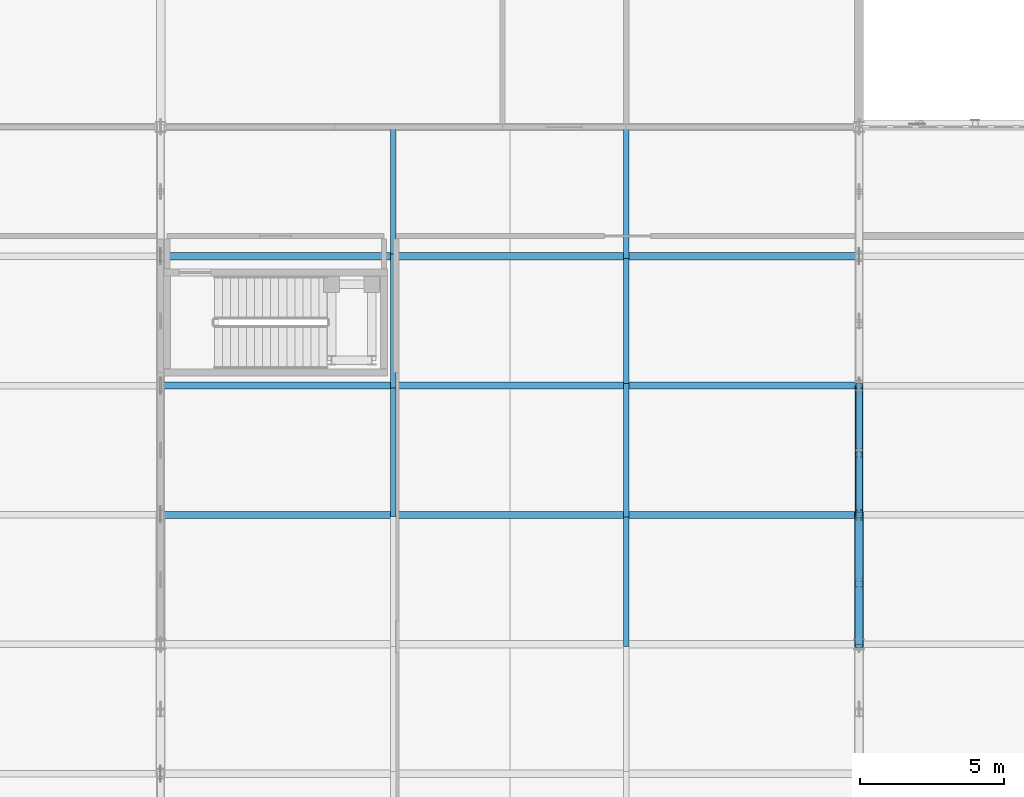
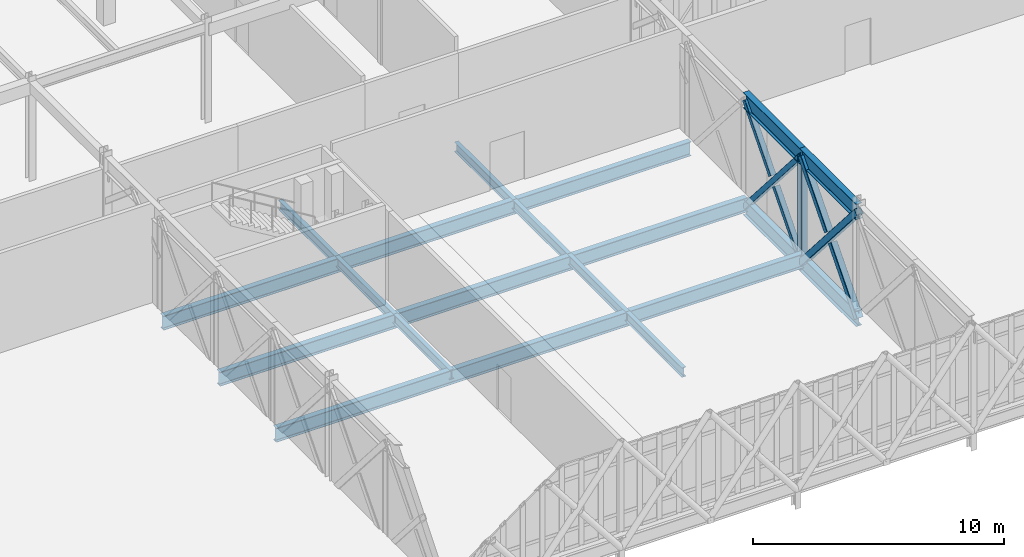
# One storey, part 19 of 107: 14 beams, 7 members.
"""IFC4 building model written with IfcOpenShell, lengths in metres."""

from ifc_helpers import new_model, si_unit, direction, frame, origin, origin_2d, place, context, subcontext, project, spatial, hollow_rectangle, i_section, extrude, material, material_profile, profile_set, type_object, element, save


model = new_model("IFC4")

# Units and contexts
model_context = context("Model", 3, precision=1e-05, world=origin(), true_north=direction((0.0, 1.0)))
body_context = subcontext(model_context, "Body", "Model", "MODEL_VIEW")
ifc_project = project(units=[si_unit("LENGTHUNIT", "METRE"), si_unit("AREAUNIT", "SQUARE_METRE"), si_unit("VOLUMEUNIT", "CUBIC_METRE"), si_unit("PLANEANGLEUNIT", "RADIAN"), si_unit("MASSUNIT", "GRAM", prefix="KILO")], contexts=[model_context])

# Site, building, storey
site_placement = place(None, origin())
site = spatial("IfcSite", under=ifc_project, at=site_placement, CompositionType="ELEMENT")
building_placement = place(site_placement, origin())
building = spatial("IfcBuilding", under=site, at=building_placement, Name="Tarnveldt Square Police Headquarters", CompositionType="ELEMENT")
storey_placement = place(building_placement, frame((0.0, 0.0, 14.699951171875)))
storey = spatial("IfcBuildingStorey", under=building, at=storey_placement, Name="L03", CompositionType="ELEMENT", Elevation=14.699951171875)

# Beams
ifc_material = material(Name="Steel 350W", Category="steel")
ifc_material_profile_1 = material_profile(ifc_material, i_section(OverallWidth=0.26708984375, OverallDepth=0.76611328125, WebThickness=0.014892578125, FlangeThickness=0.023681640625, FilletRadius=0.02197265625, at=origin_2d()), Name="W760x185")
ifc_profile_set_1 = profile_set([ifc_material_profile_1], Name="Steel 350W")
beam_type_1 = type_object("IfcBeamType", Name="BM-CT-BOT", PredefinedType="BEAM", material=ifc_profile_set_1)
for number, where, z_axis, x_axis, name in (
    (1, (48.60009765625, 25.0, -0.742919921875), (0.0, -1.0, 0.0), (1.0, 0.0, 0.0), "Cantilever Truss CT-3 Bottom Chord 3"),
    (2, (48.60009765625, 25.0, 4.45703125), (0.0, -1.0, 0.0), (1.0, 0.0, 0.0), "Cantilever Truss CT-3 Mid Chord 3"),
    (3, (48.60009765625, 20.5, -0.742919921875), (0.0, -1.0, 0.0), (1.0, 0.0, 0.0), "Cantilever Truss CT-3 Bottom Chord 4"),
    (4, (48.60009765625, 20.5, 4.45703125), (0.0, -1.0, 0.0), (1.0, 0.0, 0.0), "Cantilever Truss CT-3 Mid Chord 4"),
):
    element("IfcBeam", number, at=place(storey_placement, frame(where, z_axis=z_axis, x_axis=x_axis)), inside=storey, type_object=beam_type_1, Name=name, PredefinedType="BEAM", context=body_context, shape_type="SweptSolid", body=[
        extrude(i_section(OverallWidth=0.26708984375, OverallDepth=0.76611328125, WebThickness=0.014892578125, FlangeThickness=0.023681640625, FilletRadius=0.02197265625, at=origin_2d()), origin(), (0.0, 0.0, 1.0), 4.5),
    ])
ifc_material_profile_2 = material_profile(ifc_material, i_section(OverallWidth=0.19189453125, OverallDepth=0.462890625, WebThickness=0.010498046875, FlangeThickness=0.017578125, FilletRadius=0.01806640625, at=origin_2d()), Name="W460x89")
ifc_profile_set_2 = profile_set([ifc_material_profile_2], Name="Steel 350W")
beam_type_2 = type_object("IfcBeamType", Name="BM-W460x89", PredefinedType="BEAM", material=ifc_profile_set_2)
for number, where, z_axis, x_axis, name in (
    (5, (32.39990234375, 34.080078125, -0.491455078125), (0.0, -1.0, 0.0), (1.0, 0.0, 0.0), "Lantern L03 Secondary Beam 32.0"),
    (6, (32.39990234375, 29.580078125, -0.491455078125), (0.0, -1.0, 0.0), (1.0, 0.0, 0.0), "Lantern L03 Secondary Beam 32.1"),
    (7, (32.39990234375, 25.080078125, -0.491455078125), (0.0, -1.0, 0.0), (1.0, 0.0, 0.0), "Lantern L03 Secondary Beam 32.2"),
    (8, (40.5, 34.080078125, -0.491455078125), (0.0, -1.0, 0.0), (1.0, 0.0, 0.0), "Lantern L03 Secondary Beam 40.0"),
    (9, (40.5, 29.580078125, -0.491455078125), (0.0, -1.0, 0.0), (1.0, 0.0, 0.0), "Lantern L03 Secondary Beam 40.1"),
    (10, (40.5, 25.080078125, -0.491455078125), (0.0, -1.0, 0.0), (1.0, 0.0, 0.0), "Lantern L03 Secondary Beam 40.2"),
    (11, (40.5, 20.580078125, -0.491455078125), (0.0, -1.0, 0.0), (1.0, 0.0, 0.0), "Lantern L03 Secondary Beam 40.3"),
):
    element("IfcBeam", number, at=place(storey_placement, frame(where, z_axis=z_axis, x_axis=x_axis)), inside=storey, type_object=beam_type_2, Name=name, PredefinedType="BEAM", context=body_context, shape_type="SweptSolid", body=[
        extrude(i_section(OverallWidth=0.19189453125, OverallDepth=0.462890625, WebThickness=0.010498046875, FlangeThickness=0.017578125, FilletRadius=0.01806640625, at=origin_2d()), origin(), (0.0, 0.0, 1.0), 4.66015625),
    ])
ifc_material_profile_3 = material_profile(ifc_material, i_section(OverallWidth=0.25390625, OverallDepth=0.68798828125, WebThickness=0.01318359375, FlangeThickness=0.02099609375, FilletRadius=0.02001953125, at=origin_2d()), Name="W690x152")
ifc_profile_set_3 = profile_set([ifc_material_profile_3], Name="Steel 350W")
beam_type_3 = type_object("IfcBeamType", Name="BM-W690x152", PredefinedType="BEAM", material=ifc_profile_set_3)
for number, where, z_axis, x_axis, name in (
    (12, (24.300048828125, 29.5, -0.60400390625), (1.0, 0.0, 0.0), (0.0, 1.0, 0.0), "Command Lantern L03 Transverse Girder 2.1"),
    (13, (24.300048828125, 25.0, -0.60400390625), (1.0, 0.0, 0.0), (0.0, 1.0, 0.0), "Command Lantern L03 Transverse Girder 2.2"),
    (14, (24.300048828125, 20.5, -0.60400390625), (1.0, 0.0, 0.0), (0.0, 1.0, 0.0), "Command Lantern L03 Transverse Girder 2.3"),
):
    element("IfcBeam", number, at=place(storey_placement, frame(where, z_axis=z_axis, x_axis=x_axis)), inside=storey, type_object=beam_type_3, Name=name, PredefinedType="BEAM", context=body_context, shape_type="SweptSolid", body=[
        extrude(i_section(OverallWidth=0.25390625, OverallDepth=0.68798828125, WebThickness=0.01318359375, FlangeThickness=0.02099609375, FilletRadius=0.02001953125, at=origin_2d()), origin(), (0.0, 0.0, 1.0), 24.300048828125),
    ])

# Members
ifc_material_profile_4 = material_profile(ifc_material, i_section(OverallWidth=0.257080078125, OverallDepth=0.363037109375, WebThickness=0.012939453125, FlangeThickness=0.021728515625, FilletRadius=0.01611328125, at=origin_2d()), Name="W360x122")
ifc_profile_set_4 = profile_set([ifc_material_profile_4], Name="Steel 350W")
member_type_1 = type_object("IfcMemberType", Name="MEM-CT-POST", PredefinedType="STRUT", material=ifc_profile_set_4)
member_1_placement = place(storey_placement, frame((48.60009765625, 20.5, -0.742919921875), z_axis=(0.0, 0.0, 1.0), x_axis=(1.0, 0.0, 0.0)))
element("IfcMember", 15, at=member_1_placement, inside=storey, type_object=member_type_1, Name="Cantilever Truss CT-3 L03 Post 4", PredefinedType="STRUT", context=body_context, shape_type="SweptSolid", body=[
    extrude(i_section(OverallWidth=0.257080078125, OverallDepth=0.363037109375, WebThickness=0.012939453125, FlangeThickness=0.021728515625, FilletRadius=0.01611328125, at=origin_2d()), origin(), (0.0, 0.0, 1.0), 5.199951171875),
])
ifc_material_profile_5 = material_profile(ifc_material, hollow_rectangle(XDim=0.3046875, YDim=0.3046875, WallThickness=0.015869140625, InnerFilletRadius=0.015869140625, OuterFilletRadius=0.03173828125, at=origin_2d()), Name="HSS305x305x16")
ifc_profile_set_5 = profile_set([ifc_material_profile_5], Name="Steel 350W")
member_type_2 = type_object("IfcMemberType", Name="MEM-CT-WEB1", PredefinedType="BRACE", material=ifc_profile_set_5)
member_2_placement = place(storey_placement, frame((48.60009765625, 20.5, -0.742919921875), z_axis=(0.0, -0.654380257886, 0.756165641966), x_axis=(1.0, 0.0, 0.0)))
element("IfcMember", 16, at=member_2_placement, inside=storey, type_object=member_type_2, Name="Cantilever Truss CT-3 L03 Web A4", PredefinedType="BRACE", context=body_context, shape_type="SweptSolid", body=[
    extrude(hollow_rectangle(XDim=0.3046875, YDim=0.3046875, WallThickness=0.015869140625, InnerFilletRadius=0.015869140625, OuterFilletRadius=0.03173828125, at=origin_2d()), origin(), (0.0, 0.0, 1.0), 6.876708984375),
])
for number, where, z_axis, x_axis, name in (
    (17, (48.60009765625, 16.0, -0.742919921875), (0.0, 0.654370071154, 0.756174457369), (-1.0, 0.0, 0.0), "Cantilever Truss CT-3 L03 Web B4 Lower"),
    (18, (48.60009765625, 18.39404296875, 2.0234375), (0.0, 0.654370071154, 0.756174457369), (-1.0, 0.0, 0.0), "Cantilever Truss CT-3 L03 Web B4 Upper"),
):
    element("IfcMember", number, at=place(storey_placement, frame(where, z_axis=z_axis, x_axis=x_axis)), inside=storey, type_object=member_type_2, Name=name, PredefinedType="BRACE", context=body_context, shape_type="SweptSolid", body=[
        extrude(hollow_rectangle(XDim=0.3046875, YDim=0.3046875, WallThickness=0.015869140625, InnerFilletRadius=0.015869140625, OuterFilletRadius=0.03173828125, at=origin_2d()), origin(), (0.0, 0.0, 1.0), 3.21826171875),
    ])
ifc_material_profile_6 = material_profile(ifc_material, hollow_rectangle(XDim=0.25390625, YDim=0.25390625, WallThickness=0.0126953125, InnerFilletRadius=0.0126953125, OuterFilletRadius=0.025390625, at=origin_2d()), Name="HSS254x254x13")
ifc_profile_set_6 = profile_set([ifc_material_profile_6], Name="Steel 350W")
member_type_3 = type_object("IfcMemberType", Name="MEM-CT-WEB2", PredefinedType="BRACE", material=ifc_profile_set_6)
member_3_placement = place(storey_placement, frame((48.60009765625, 25.0, -0.742919921875), z_axis=(0.0, -0.654380257886, 0.756165641966), x_axis=(1.0, 0.0, 0.0)))
element("IfcMember", 19, at=member_3_placement, inside=storey, type_object=member_type_3, Name="Cantilever Truss CT-3 L03 Web A3", PredefinedType="BRACE", context=body_context, shape_type="SweptSolid", body=[
    extrude(hollow_rectangle(XDim=0.25390625, YDim=0.25390625, WallThickness=0.0126953125, InnerFilletRadius=0.0126953125, OuterFilletRadius=0.025390625, at=origin_2d()), origin(), (0.0, 0.0, 1.0), 6.876708984375),
])
for number, where, z_axis, x_axis, name in (
    (20, (48.60009765625, 20.5, -0.742919921875), (0.0, 0.654370071154, 0.756174457369), (-1.0, 0.0, 0.0), "Cantilever Truss CT-3 L03 Web B3 Lower"),
    (21, (48.60009765625, 22.89404296875, 2.0234375), (0.0, 0.654370071154, 0.756174457369), (-1.0, 0.0, 0.0), "Cantilever Truss CT-3 L03 Web B3 Upper"),
):
    element("IfcMember", number, at=place(storey_placement, frame(where, z_axis=z_axis, x_axis=x_axis)), inside=storey, type_object=member_type_3, Name=name, PredefinedType="BRACE", context=body_context, shape_type="SweptSolid", body=[
        extrude(hollow_rectangle(XDim=0.25390625, YDim=0.25390625, WallThickness=0.0126953125, InnerFilletRadius=0.0126953125, OuterFilletRadius=0.025390625, at=origin_2d()), origin(), (0.0, 0.0, 1.0), 3.21826171875),
    ])

save(model, "model.ifc")
